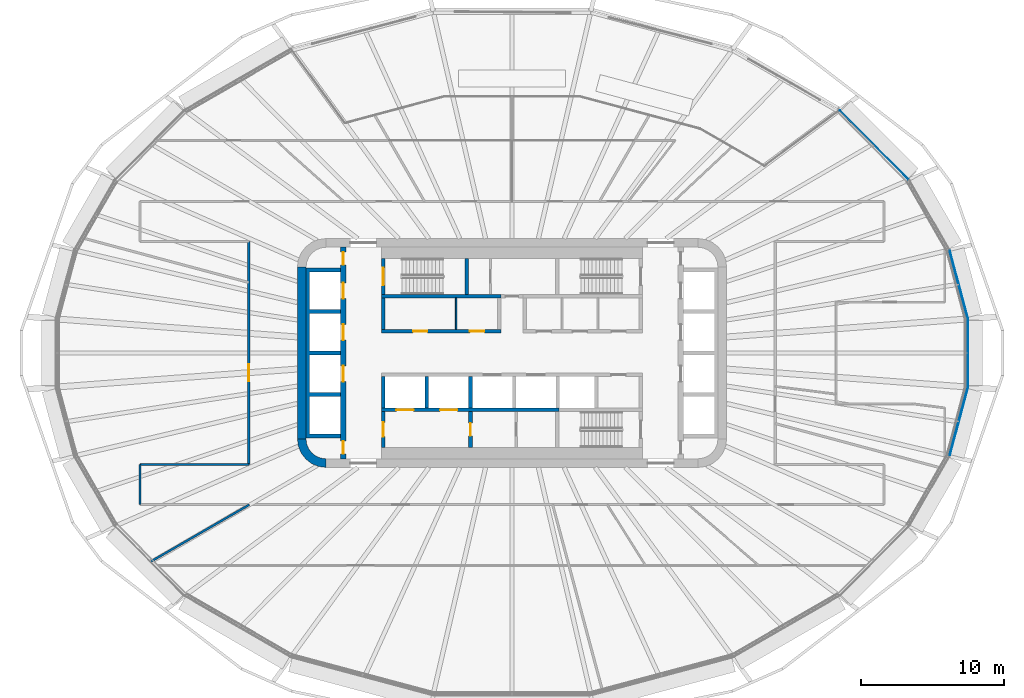
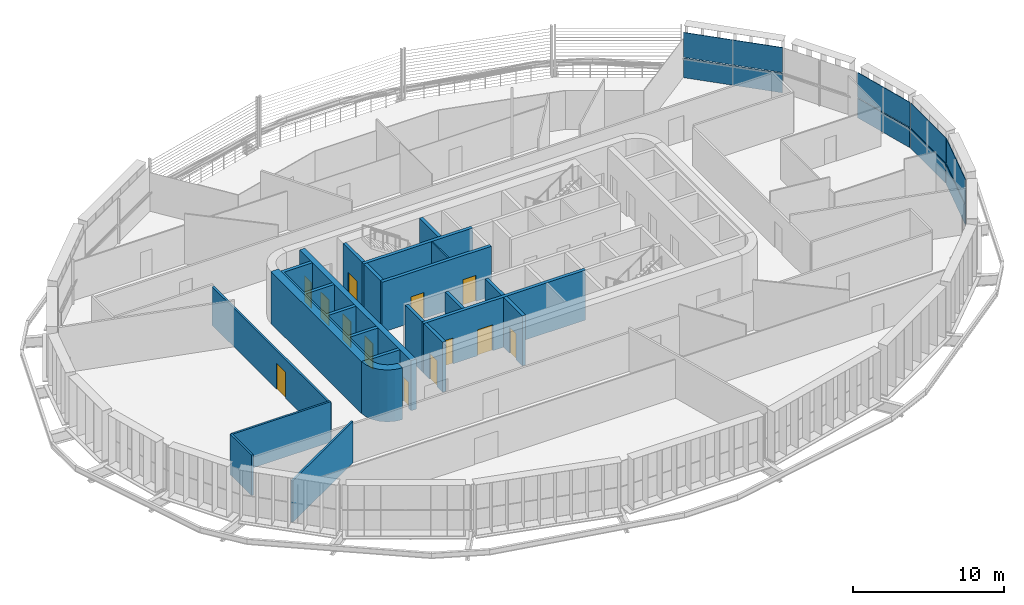
# One storey, part 13 of 24: 20 walls, 13 doors, 8 plates, 13 openings, 4 elements without a shape of their own.
"""IFC4 building model written with IfcOpenShell, lengths in metres."""

import ifcopenshell
import ifcopenshell.guid

model = None  # the IFC model being written
_history = None  # IfcOwnerHistory: only IFC2X3 demands one
_inside = {}  # id of a spatial element -> (the spatial element, [elements in it])
_under = {}  # id of a project, library or spatial element -> (it, [spatial elements below it])
_declared = {}  # id of a project -> (the project, [libraries it declares])
_typed = {}  # id of a type object -> (the type object, [elements of that type])
_made_of = {}  # id of a material, layer set ... -> (it, [elements and type objects made of it])


def new_model(schema):
    """Start an empty IFC model of exactly this schema.

    Asked for "IFC4X3", IfcOpenShell would pick the latest addendum, in which some entities
    have other attributes; the version numbers below select the first issue.
    IFC2X3 requires an IfcOwnerHistory on every rooted entity: one is made here for all.
    """
    global model, _history
    if schema == "IFC4X3":
        model = ifcopenshell.file(schema_version=(4, 3, 0, 0))
    else:
        model = ifcopenshell.file(schema=schema)
    _inside.clear()
    _under.clear()
    _declared.clear()
    _typed.clear()
    _made_of.clear()
    _history = None
    if model.schema == "IFC2X3":
        org = make("IfcOrganization", Name="unknown")
        user = make(
            "IfcPersonAndOrganization",
            ThePerson=make("IfcPerson", FamilyName="unknown"),
            TheOrganization=org,
        )
        app = make(
            "IfcApplication",
            ApplicationDeveloper=org,
            Version="unknown",
            ApplicationFullName="unknown",
            ApplicationIdentifier="unknown",
        )
        _history = make(
            "IfcOwnerHistory",
            OwningUser=user,
            OwningApplication=app,
            ChangeAction="ADDED",
            CreationDate=0,
        )
    return model


def make(cls, **values):
    """One entity of the class cls with the attributes given. An attribute that is None is left unset."""
    return model.create_entity(
        cls, **{name: value for name, value in values.items() if value is not None}
    )


def rooted(cls, **values):
    """An entity with a GlobalId (a new one), such as an element, a storey or a relation."""
    return make(cls, GlobalId=ifcopenshell.guid.new(), OwnerHistory=_history, **values)


def si_unit(unit_type, name, prefix=None):
    """IfcSIUnit, for example si_unit("LENGTHUNIT", "METRE", prefix="MILLI")."""
    return make("IfcSIUnit", UnitType=unit_type, Prefix=prefix, Name=name)


def assignment(units):
    """IfcUnitAssignment: the units of a project."""
    return None if units is None else make("IfcUnitAssignment", Units=units)


def point(xyz):
    """IfcCartesianPoint."""
    return None if xyz is None else make("IfcCartesianPoint", Coordinates=xyz)


def direction(xyz):
    """IfcDirection."""
    return None if xyz is None else make("IfcDirection", DirectionRatios=xyz)


def frame(location, z_axis=None, x_axis=None):
    """IfcAxis2Placement3D, a coordinate frame: its origin and axes. An axis left out is left unset."""
    return make(
        "IfcAxis2Placement3D",
        Location=point(location),
        Axis=direction(z_axis),
        RefDirection=direction(x_axis),
    )


def frame_2d(location, x_axis=None):
    """IfcAxis2Placement2D, a coordinate frame in the plane: its origin and x axis."""
    return make(
        "IfcAxis2Placement2D", Location=point(location), RefDirection=direction(x_axis)
    )


def origin():
    """The frame at (0, 0, 0) with its axes left unset."""
    return frame((0.0, 0.0, 0.0))


def place(relative_to, where):
    """IfcLocalPlacement: puts the frame where relative to a parent placement (None: the world)."""
    return make(
        "IfcLocalPlacement", PlacementRelTo=relative_to, RelativePlacement=where
    )


def context(
    kind, dimensions, precision=None, world=None, true_north=None, identifier=None
):
    """IfcGeometricRepresentationContext, for example the 3D "Model" context."""
    return make(
        "IfcGeometricRepresentationContext",
        ContextIdentifier=identifier,
        ContextType=kind,
        CoordinateSpaceDimension=dimensions,
        Precision=precision,
        WorldCoordinateSystem=world,
        TrueNorth=true_north,
    )


def subcontext(parent, identifier, kind, view, scale=None):
    """IfcGeometricRepresentationSubContext, for example "Body" below "Model"."""
    return make(
        "IfcGeometricRepresentationSubContext",
        ContextIdentifier=identifier,
        ContextType=kind,
        ParentContext=parent,
        TargetScale=scale,
        TargetView=view,
    )


def project(units=None, contexts=None):
    """IfcProject with its units and contexts."""
    return rooted(
        "IfcProject",
        Name="project",
        RepresentationContexts=contexts,
        UnitsInContext=assignment(units),
    )


def spatial(cls, under=None, at=None, **own):
    """A site, building, storey or space (cls), placed at a placement, below another one or the project."""
    s = rooted(cls, ObjectPlacement=at, **own)
    if under is not None:
        _under.setdefault(under.id(), (under, []))[1].append(s)
    return s


def polyline(points):
    """IfcPolyline through the points."""
    return make("IfcPolyline", Points=[point(p) for p in points])


def profile(cls, at=None, kind="AREA", **sizes):
    """A parametric profile (cls). Its sizes go by their IFC names, for example OverallWidth=200.0."""
    return make(cls, ProfileType=kind, Position=at, **sizes)


def rectangle(**sizes):
    """IfcRectangleProfileDef."""
    return profile("IfcRectangleProfileDef", **sizes)


def outline(outer, holes=None, kind="AREA"):
    """IfcArbitraryClosedProfileDef: a profile drawn as a closed curve; with holes, ...WithVoids."""
    if holes is None:
        return make("IfcArbitraryClosedProfileDef", ProfileType=kind, OuterCurve=outer)
    return make(
        "IfcArbitraryProfileDefWithVoids",
        ProfileType=kind,
        OuterCurve=outer,
        InnerCurves=holes,
    )


def extrude(swept, where, along, depth):
    """IfcExtrudedAreaSolid: the profile swept, set in the frame where, extruded along a direction by depth."""
    return make(
        "IfcExtrudedAreaSolid",
        SweptArea=swept,
        Position=where,
        ExtrudedDirection=direction(along),
        Depth=depth,
    )


def shape(context_of_items, identifier, shape_type, items):
    """IfcShapeRepresentation: the items that make up one representation, for example the "Body"."""
    return make(
        "IfcShapeRepresentation",
        ContextOfItems=context_of_items,
        RepresentationIdentifier=identifier,
        RepresentationType=shape_type,
        Items=items,
    )


def material(Name=None, Category=None):
    """IfcMaterial."""
    return make("IfcMaterial", Name=Name, Category=Category)


def layer(
    of_material, thickness, ventilated=None, Name=None, Category=None, Priority=None
):
    """IfcMaterialLayer: one layer of a wall or slab, of a material (None: an air gap)."""
    return make(
        "IfcMaterialLayer",
        Material=of_material,
        LayerThickness=thickness,
        IsVentilated=ventilated,
        Name=Name,
        Category=Category,
        Priority=Priority,
    )


def layer_set(layers, Name=None):
    """IfcMaterialLayerSet."""
    return make("IfcMaterialLayerSet", MaterialLayers=layers, LayerSetName=Name)


def made_of(thing, what):
    """Note that an element or type object is made of a material, layer set ...; save() writes the relation."""
    if what is not None:
        _made_of.setdefault(what.id(), (what, []))[1].append(thing)
    return thing


def type_object(cls, material=None, **own):
    """A type object (cls), such as IfcWallType, which elements share."""
    return made_of(rooted(cls, **own), material)


def element(
    cls,
    number,
    at=None,
    inside=None,
    cuts=None,
    type_object=None,
    material=None,
    context=None,
    identifier="Body",
    shape_type=None,
    held_by="IfcProductDefinitionShape",
    body=None,
    shapes=None,
    **own,
):
    """One element of the class cls, such as IfcWall. Its Tag is "e" and its number.

    at: its placement. inside: the storey or other place that contains it. cuts: it is an
    opening in that element (IfcRelVoidsElement). A single representation is given by context,
    identifier, shape_type and body (its items); several are given by shapes. held_by: the class
    of the entity that holds the representations. save() writes the other relations.
    """
    e = rooted(cls, Tag="e%d" % number, ObjectPlacement=at, **own)
    if body is not None:
        shapes = [shape(context, identifier, shape_type, body)]
    if shapes is not None:
        e.Representation = make(held_by, Representations=shapes)
    if inside is not None:
        _inside.setdefault(inside.id(), (inside, []))[1].append(e)
    if cuts is not None:
        rooted(
            "IfcRelVoidsElement", RelatingBuildingElement=cuts, RelatedOpeningElement=e
        )
    if type_object is not None:
        _typed.setdefault(type_object.id(), (type_object, []))[1].append(e)
    return made_of(e, material)


def fill(opening, filler):
    """IfcRelFillsElement: the door or window that sits in an opening."""
    return rooted(
        "IfcRelFillsElement",
        RelatingOpeningElement=opening,
        RelatedBuildingElement=filler,
    )


def aggregate(whole, parts):
    """IfcRelAggregates: a whole, such as a stair, and the parts it consists of."""
    return rooted("IfcRelAggregates", RelatingObject=whole, RelatedObjects=parts)


def save(model, path):
    """Write the relations noted so far, then the file.

    IfcRelAggregates (storeys below a building ...), IfcRelContainedInSpatialStructure (elements
    in a storey), IfcRelDefinesByType, IfcRelAssociatesMaterial and IfcRelDeclares: one each for
    every whole, place, type object, material and project.
    """
    for whole, parts in _under.values():
        aggregate(whole, parts)
    for where, things in _inside.values():
        rooted(
            "IfcRelContainedInSpatialStructure",
            RelatedElements=things,
            RelatingStructure=where,
        )
    for kind, things in _typed.values():
        rooted("IfcRelDefinesByType", RelatedObjects=things, RelatingType=kind)
    for what, things in _made_of.values():
        rooted("IfcRelAssociatesMaterial", RelatedObjects=things, RelatingMaterial=what)
    for by, libraries in _declared.values():
        rooted("IfcRelDeclares", RelatingContext=by, RelatedDefinitions=libraries)
    model.write(path)


model = new_model("IFC4")

# Units and contexts
model_context = context("Model", 3, precision=1e-05, world=origin(), true_north=direction((0.0, 1.0)))
body_context = subcontext(model_context, "Body", "Model", "MODEL_VIEW")
ifc_project = project(units=[si_unit("LENGTHUNIT", "METRE"), si_unit("AREAUNIT", "SQUARE_METRE"), si_unit("VOLUMEUNIT", "CUBIC_METRE"), si_unit("PLANEANGLEUNIT", "RADIAN"), si_unit("MASSUNIT", "GRAM", prefix="KILO")], contexts=[model_context])

# Site, building, storey
site_placement = place(None, origin())
site = spatial("IfcSite", under=ifc_project, at=site_placement, CompositionType="ELEMENT")
building_placement = place(site_placement, origin())
building = spatial("IfcBuilding", under=site, at=building_placement, Name="Sahrelin Media Tower", CompositionType="ELEMENT")
storey_placement = place(building_placement, frame((0.0, 0.0, 118.800048828125)))
storey = spatial("IfcBuildingStorey", under=building, at=storey_placement, Name="L23", CompositionType="ELEMENT", Elevation=118.800048828125)

# Curtain wall, plate
ifc_material_1 = material(Name="Champagne anodised aluminium 6063-T6", Category="aluminium")
ifc_layer_1 = layer(ifc_material_1, 0.14990234375)
ifc_layer_set_1 = layer_set([ifc_layer_1], Name="Tower ribbon curtain wall")
curtain_wall_type = type_object("IfcCurtainWallType", Name="Tower ribbon curtain wall", PredefinedType="NOTDEFINED", material=ifc_layer_set_1)
curtain_wall_1_placement = place(storey_placement, frame((31.881591796875, 0.0, 0.0), z_axis=(0.0, 0.0, 1.0), x_axis=(1.0, 0.0, 0.0)))
curtain_wall_1 = element("IfcCurtainWall", 1, at=curtain_wall_1_placement, inside=storey, type_object=curtain_wall_type, Name="L23:CW:L23-00", PredefinedType="NOTDEFINED")
ifc_material_2 = material(Name="Clear low-iron glazing", Category="glass")
ifc_layer_2 = layer(ifc_material_2, 0.0400390625)
ifc_layer_set_2 = layer_set([ifc_layer_2], Name="Glazing panel 40 mm CW1")
plate_type_1 = type_object("IfcPlateType", Name="Glazing panel 40 mm CW1", PredefinedType="CURTAIN_PANEL", material=ifc_layer_set_2)
plate_1_placement = place(storey_placement, frame((31.901611328125, -2.332275390625, 1.6298828125), z_axis=(1.0, 0.0, 0.0), x_axis=(0.0, 1.0, 0.0)))
plate_1 = element("IfcPlate", 2, at=plate_1_placement, type_object=plate_type_1, Name="L23:CWP2:L23-00", PredefinedType="CURTAIN_PANEL", context=body_context, shape_type="SweptSolid", body=[
    extrude(outline(polyline([(0.0, 0.0), (4.66455078125, 0.0), (4.66455078125, 2.0185546875), (0.0, 2.0185546875), (0.0, 0.0)])), origin(), (0.0, 0.0, -1.0), 0.0400390625),
])

curtain_wall_2_placement = place(storey_placement, frame((31.23681640625, 4.788818359375, 0.0), z_axis=(0.0, 0.0, 1.0), x_axis=(1.0, 0.0, 0.0)))
curtain_wall_2 = element("IfcCurtainWall", 3, at=curtain_wall_2_placement, inside=storey, type_object=curtain_wall_type, Name="L23:CW:L23-01", PredefinedType="NOTDEFINED")
plate_2_placement = place(storey_placement, frame((31.88818359375, 2.435791015625, 1.6298828125), z_axis=(0.965919706818, 0.258841882199, 0.0), x_axis=(-0.258841882199, 0.965919706818, 0.0)))
plate_2 = element("IfcPlate", 4, at=plate_2_placement, type_object=plate_type_1, Name="L23:CWP2:L23-01", PredefinedType="CURTAIN_PANEL", context=body_context, shape_type="SweptSolid", body=[
    extrude(outline(polyline([(0.0, 0.0), (4.883056640625, 0.0), (4.883056640625, 2.0185546875), (0.0, 2.0185546875), (0.0, 0.0)])), origin(), (0.0, 0.0, -1.0), 0.0400390625),
])

curtain_wall_3_placement = place(storey_placement, frame((25.322021484375, 14.54052734375, 0.0), z_axis=(0.0, 0.0, 1.0), x_axis=(1.0, 0.0, 0.0)))
curtain_wall_3 = element("IfcCurtainWall", 5, at=curtain_wall_3_placement, inside=storey, type_object=curtain_wall_type, Name="L23:CW:L23-03", PredefinedType="NOTDEFINED")
plate_3_placement = place(storey_placement, frame((27.736083984375, 12.155029296875, 1.6298828125), z_axis=(0.707106781187, 0.707106781187, 0.0), x_axis=(-0.707106781187, 0.707106781187, 0.0)))
plate_3 = element("IfcPlate", 6, at=plate_3_placement, type_object=plate_type_1, Name="L23:CWP2:L23-03", PredefinedType="CURTAIN_PANEL", context=body_context, shape_type="SweptSolid", body=[
    extrude(outline(polyline([(0.0, 0.0), (6.78759765625, 0.0), (6.78759765625, 2.0185546875), (0.0, 2.0185546875), (0.0, 0.0)])), origin(), (0.0, 0.0, -1.0), 0.0400390625),
])

curtain_wall_4_placement = place(storey_placement, frame((31.23681640625, -4.788818359375, 0.0), z_axis=(0.0, 0.0, 1.0), x_axis=(1.0, 0.0, 0.0)))
curtain_wall_4 = element("IfcCurtainWall", 7, at=curtain_wall_4_placement, inside=storey, type_object=curtain_wall_type, Name="L23:CW:L23-23", PredefinedType="NOTDEFINED")
plate_4_placement = place(storey_placement, frame((30.624267578125, -7.15234375, 1.6298828125), z_axis=(0.965919706818, -0.258841882199, 0.0), x_axis=(0.258841882199, 0.965919706818, 0.0)))
plate_4 = element("IfcPlate", 8, at=plate_4_placement, type_object=plate_type_1, Name="L23:CWP2:L23-23", PredefinedType="CURTAIN_PANEL", context=body_context, shape_type="SweptSolid", body=[
    extrude(outline(polyline([(0.0, 0.0), (4.883056640625, 0.0), (4.883056640625, 2.0185546875), (0.0, 2.0185546875), (0.0, 0.0)])), origin(), (0.0, 0.0, -1.0), 0.0400390625),
])

# Plate
ifc_material_3 = material(Name="Insulated spandrel panel")
ifc_layer_3 = layer(ifc_material_3, 0.06005859375)
ifc_layer_set_3 = layer_set([ifc_layer_3], Name="Spandrel panel 60 mm CW1")
plate_type_2 = type_object("IfcPlateType", Name="Spandrel panel 60 mm CW1", PredefinedType="SHEET", material=ifc_layer_set_3)
plate_5_placement = place(storey_placement, frame((31.901611328125, -2.332275390625, 0.0), z_axis=(1.0, 0.0, 0.0), x_axis=(0.0, 1.0, 0.0)))
plate_5 = element("IfcPlate", 9, at=plate_5_placement, type_object=plate_type_2, Name="L23:CWP1:L23-00", PredefinedType="SHEET", context=body_context, shape_type="SweptSolid", body=[
    extrude(outline(polyline([(0.0, 0.0), (4.66455078125, 0.0), (4.66455078125, 1.570068359375), (0.0, 1.570068359375), (0.0, 0.0)])), origin(), (0.0, 0.0, -1.0), 0.06005859375),
])

aggregate(curtain_wall_1, [plate_5, plate_1])

plate_6_placement = place(storey_placement, frame((31.88818359375, 2.435791015625, 0.0), z_axis=(0.965919706818, 0.258841882199, 0.0), x_axis=(-0.258841882199, 0.965919706818, 0.0)))
plate_6 = element("IfcPlate", 10, at=plate_6_placement, type_object=plate_type_2, Name="L23:CWP1:L23-01", PredefinedType="SHEET", context=body_context, shape_type="SweptSolid", body=[
    extrude(outline(polyline([(0.0, 0.0), (4.883056640625, 0.0), (4.883056640625, 1.570068359375), (0.0, 1.570068359375), (0.0, 0.0)])), origin(), (0.0, 0.0, -1.0), 0.06005859375),
])

aggregate(curtain_wall_2, [plate_6, plate_2])

plate_7_placement = place(storey_placement, frame((27.736083984375, 12.155029296875, 0.0), z_axis=(0.707106781187, 0.707106781187, 0.0), x_axis=(-0.707106781187, 0.707106781187, 0.0)))
plate_7 = element("IfcPlate", 11, at=plate_7_placement, type_object=plate_type_2, Name="L23:CWP1:L23-03", PredefinedType="SHEET", context=body_context, shape_type="SweptSolid", body=[
    extrude(outline(polyline([(0.0, 0.0), (6.78759765625, 0.0), (6.78759765625, 1.570068359375), (0.0, 1.570068359375), (0.0, 0.0)])), origin(), (0.0, 0.0, -1.0), 0.06005859375),
])

aggregate(curtain_wall_3, [plate_7, plate_3])

plate_8_placement = place(storey_placement, frame((30.624267578125, -7.15234375, 0.0), z_axis=(0.965919706818, -0.258841882199, 0.0), x_axis=(0.258841882199, 0.965919706818, 0.0)))
plate_8 = element("IfcPlate", 12, at=plate_8_placement, type_object=plate_type_2, Name="L23:CWP1:L23-23", PredefinedType="SHEET", context=body_context, shape_type="SweptSolid", body=[
    extrude(outline(polyline([(0.0, 0.0), (4.883056640625, 0.0), (4.883056640625, 1.570068359375), (0.0, 1.570068359375), (0.0, 0.0)])), origin(), (0.0, 0.0, -1.0), 0.06005859375),
])

aggregate(curtain_wall_4, [plate_8, plate_4])

# Walls
ifc_material_4 = material(Name="Concrete C60/75", Category="concrete")
ifc_layer_4 = layer(ifc_material_4, 0.60009765625)
ifc_layer_set_4 = layer_set([ifc_layer_4], Name="Core wall 600")
wall_type_1 = type_object("IfcWallType", Name="Core wall 600", PredefinedType="SHEAR", material=ifc_layer_set_4)
wall_1_placement = place(storey_placement, frame((-14.699951171875, -6.0, 0.0), z_axis=(0.0, 0.0, 1.0), x_axis=(0.0, 1.0, 0.0)))
element("IfcWall", 13, at=wall_1_placement, inside=storey, type_object=wall_type_1, Name="Core wall W L23", PredefinedType="SHEAR", context=body_context, shape_type="SweptSolid", body=[
    extrude(rectangle(XDim=12.0, YDim=0.60009765625, at=frame_2d((6.0, 0.0))), origin(), (0.0, 0.0, 1.0), 4.199951171875),
])
placement = place(storey_placement, origin())
element("IfcWall", 14, at=placement, inside=storey, type_object=wall_type_1, Name="Core wall corner SW L23", PredefinedType="SHEAR", context=body_context, shape_type="SweptSolid", body=[
    extrude(outline(polyline([(-13.0, -8.0), (-13.0, -7.394775390625), (-13.361083984375, -7.347412109375), (-13.697509765625, -7.2080078125), (-13.986328125, -6.986328125), (-14.2080078125, -6.697509765625), (-14.347412109375, -6.361083984375), (-14.394775390625, -6.0), (-15.0, -6.0), (-14.931884765625, -6.517578125), (-14.732177734375, -7.0), (-14.414306640625, -7.414306640625), (-14.0, -7.732177734375), (-13.517578125, -7.931884765625), (-13.0, -8.0)])), origin(), (0.0, 0.0, 1.0), 4.199951171875),
])

# Wall, openings, doors
ifc_material_5 = material(Name="Fire-rated gypsum board partition")
ifc_layer_5 = layer(ifc_material_5, 0.25)
ifc_layer_set_5 = layer_set([ifc_layer_5], Name="Fire-rated lobby wall 250")
wall_type_2 = type_object("IfcWallType", Name="Fire-rated lobby wall 250", PredefinedType="PARTITIONING", material=ifc_layer_set_5)
wall_3_placement = place(storey_placement, frame((-9.125, 1.52490234375, 0.0), z_axis=(0.0, 0.0, 1.0), x_axis=(1.0, 0.0, 0.0)))
wall_3 = element("IfcWall", 15, at=wall_3_placement, inside=storey, type_object=wall_type_2, Name="Core lobby wall", PredefinedType="PARTITIONING", context=body_context, shape_type="SweptSolid", body=[
    extrude(rectangle(XDim=8.35009765625, YDim=0.25, at=frame_2d((4.175048828125, 0.0))), origin(), (0.0, 0.0, 1.0), 4.050048828125),
])
opening_1_placement = place(wall_3_placement, frame((2.21240234375, 0.0, 0.0)))
opening_1 = element("IfcOpeningElement", 16, at=opening_1_placement, cuts=wall_3, Name="Opening L23-D09", PredefinedType="OPENING", context=body_context, shape_type="SweptSolid", body=[
    extrude(rectangle(XDim=1.0, YDim=2.10009765625, at=frame_2d((0.5, 1.050048828125))), frame((0.0, 0.125, 0.0), z_axis=(0.0, -1.0, 0.0), x_axis=(1.0, 0.0, 0.0)), (0.0, 0.0, 1.0), 0.25),
])
opening_2_placement = place(wall_3_placement, frame((6.1875, 0.0, 0.0)))
opening_2 = element("IfcOpeningElement", 17, at=opening_2_placement, cuts=wall_3, Name="Opening L23-D10", PredefinedType="OPENING", context=body_context, shape_type="SweptSolid", body=[
    extrude(rectangle(XDim=1.0, YDim=2.10009765625, at=frame_2d((0.5, 1.050048828125))), frame((0.0, 0.125, 0.0), z_axis=(0.0, -1.0, 0.0), x_axis=(1.0, 0.0, 0.0)), (0.0, 0.0, 1.0), 0.25),
])
ifc_material_6 = material(Name="Steel fire door leaf", Category="steel")
door_type_1 = type_object("IfcDoorType", Name="Fire door 1000 x 2100 EI 60", OperationType="NOTDEFINED", PredefinedType="DOOR", material=ifc_material_6)
door_1_placement = place(opening_1_placement, origin())
door_1 = element("IfcDoor", 18, at=door_1_placement, inside=storey, type_object=door_type_1, Name="Core room door", OperationType="SINGLE_SWING_LEFT", OverallHeight=2.10009765625, OverallWidth=1.0, PredefinedType="DOOR", context=body_context, shape_type="SweptSolid", body=[
    extrude(rectangle(XDim=1.0, YDim=2.10009765625, at=frame_2d((0.5, 1.050048828125))), frame((0.0, 0.02490234375, 0.0), z_axis=(0.0, -1.0, 0.0), x_axis=(1.0, 0.0, 0.0)), (0.0, 0.0, 1.0), 0.050048828125),
])
fill(opening_1, door_1)
door_2_placement = place(opening_2_placement, origin())
door_2 = element("IfcDoor", 19, at=door_2_placement, inside=storey, type_object=door_type_1, Name="Core room door", OperationType="SINGLE_SWING_LEFT", OverallHeight=2.10009765625, OverallWidth=1.0, PredefinedType="DOOR", context=body_context, shape_type="SweptSolid", body=[
    extrude(rectangle(XDim=1.0, YDim=2.10009765625, at=frame_2d((0.5, 1.050048828125))), frame((0.0, 0.02490234375, 0.0), z_axis=(0.0, -1.0, 0.0), x_axis=(1.0, 0.0, 0.0)), (0.0, 0.0, 1.0), 0.050048828125),
])
fill(opening_2, door_2)

# Walls
wall_4_placement = place(storey_placement, frame((-9.0, 1.64990234375, 0.0), z_axis=(0.0, 0.0, 1.0), x_axis=(0.0, 1.0, 0.0)))
element("IfcWall", 20, at=wall_4_placement, inside=storey, type_object=wall_type_2, Name="Core lobby wall", PredefinedType="PARTITIONING", context=body_context, shape_type="SweptSolid", body=[
    extrude(rectangle(XDim=2.2001953125, YDim=0.25, at=frame_2d((1.10009765625, 0.0))), origin(), (0.0, 0.0, 1.0), 4.050048828125),
])
ifc_layer_6 = layer(ifc_material_5, 0.10009765625)
ifc_layer_set_6 = layer_set([ifc_layer_6], Name="Fire-rated partition 100")
wall_type_3 = type_object("IfcWallType", Name="Fire-rated partition 100", PredefinedType="PARTITIONING", material=ifc_layer_set_6)
wall_5_placement = place(storey_placement, frame((-3.89990234375, 1.64990234375, 0.0), z_axis=(0.0, 0.0, 1.0), x_axis=(0.0, 1.0, 0.0)))
element("IfcWall", 21, at=wall_5_placement, inside=storey, type_object=wall_type_3, Name="Core room partition", PredefinedType="PARTITIONING", context=body_context, shape_type="SweptSolid", body=[
    extrude(rectangle(XDim=2.2001953125, YDim=0.10009765625, at=frame_2d((1.10009765625, 0.0))), origin(), (0.0, 0.0, 1.0), 4.050048828125),
])
ifc_layer_7 = layer(ifc_material_5, 0.14990234375)
ifc_layer_set_7 = layer_set([ifc_layer_7], Name="Fire-rated partition 150")
wall_type_4 = type_object("IfcWallType", Name="Fire-rated partition 150", PredefinedType="PARTITIONING", material=ifc_layer_set_7)
wall_6_placement = place(storey_placement, frame((-26.0, -7.800048828125, 0.0), z_axis=(0.0, 0.0, 1.0), x_axis=(1.0, 0.0, 0.0)))
element("IfcWall", 22, at=wall_6_placement, inside=storey, type_object=wall_type_4, Name="Wall", PredefinedType="PARTITIONING", context=body_context, shape_type="SweptSolid", body=[
    extrude(rectangle(XDim=7.60009765625, YDim=0.14990234375, at=frame_2d((3.800048828125, 0.0))), origin(), (0.0, 0.0, 1.0), 3.27587890625),
])
wall_7_placement = place(storey_placement, frame((-25.27197265625, -14.591064453125, 0.0), z_axis=(0.0, 0.0, 1.0), x_axis=(0.866041960816, 0.499971321283, 0.0)))
element("IfcWall", 23, at=wall_7_placement, inside=storey, type_object=wall_type_4, Name="Wall", PredefinedType="PARTITIONING", context=body_context, shape_type="SweptSolid", body=[
    extrude(rectangle(XDim=7.982421875, YDim=0.14990234375, at=frame_2d((3.9912109375, 0.0))), origin(), (0.0, 0.0, 1.0), 3.35205078125),
])

# Wall, opening, door
wall_8_placement = place(storey_placement, frame((-18.39990234375, -7.800048828125, 0.0), z_axis=(0.0, 0.0, 1.0), x_axis=(0.0, 1.0, 0.0)))
wall_8 = element("IfcWall", 24, at=wall_8_placement, inside=storey, type_object=wall_type_4, Name="Wall", PredefinedType="PARTITIONING", context=body_context, shape_type="SweptSolid", body=[
    extrude(rectangle(XDim=15.60009765625, YDim=0.14990234375, at=frame_2d((7.800048828125, 0.0))), origin(), (0.0, 0.0, 1.0), 3.1181640625),
])
opening_3_placement = place(wall_8_placement, frame((5.815185546875, 0.0, 0.0)))
opening_3 = element("IfcOpeningElement", 25, at=opening_3_placement, cuts=wall_8, Name="Opening L23-D41", PredefinedType="OPENING", context=body_context, shape_type="SweptSolid", body=[
    extrude(rectangle(XDim=1.199951171875, YDim=2.10009765625, at=frame_2d((0.60009765625, 1.050048828125))), frame((0.0, 0.074951171875, 0.0), z_axis=(0.0, -1.0, 0.0), x_axis=(1.0, 0.0, 0.0)), (0.0, 0.0, 1.0), 0.14990234375),
])
door_type_2 = type_object("IfcDoorType", Name="Service double door 1200 x 2100 EI 60", OperationType="DOUBLE_DOOR_SINGLE_SWING", PredefinedType="DOOR", material=ifc_material_6)
door_3_placement = place(opening_3_placement, origin())
door_3 = element("IfcDoor", 26, at=door_3_placement, inside=storey, type_object=door_type_2, Name="Service double door", OperationType="DOUBLE_DOOR_SINGLE_SWING", OverallHeight=2.10009765625, OverallWidth=1.199951171875, PredefinedType="DOOR", context=body_context, shape_type="SweptSolid", body=[
    extrude(rectangle(XDim=1.199951171875, YDim=2.10009765625, at=frame_2d((0.60009765625, 1.050048828125))), frame((0.0, 0.02490234375, 0.0), z_axis=(0.0, -1.0, 0.0), x_axis=(1.0, 0.0, 0.0)), (0.0, 0.0, 1.0), 0.050048828125),
])
fill(opening_3, door_3)

# Wall
wall_9_placement = place(storey_placement, frame((-26.0, -10.60009765625, 0.0), z_axis=(0.0, 0.0, 1.0), x_axis=(0.0, 1.0, 0.0)))
element("IfcWall", 27, at=wall_9_placement, inside=storey, type_object=wall_type_4, Name="Wall", PredefinedType="PARTITIONING", context=body_context, shape_type="SweptSolid", body=[
    extrude(rectangle(XDim=2.800048828125, YDim=0.14990234375, at=frame_2d((1.39990234375, 0.0))), origin(), (0.0, 0.0, 1.0), 3.27587890625),
])

# Wall, opening, door
ifc_layer_8 = layer(ifc_material_5, 0.25)
ifc_layer_set_8 = layer_set([ifc_layer_8], Name="Firefighting lobby wall 250")
wall_type_5 = type_object("IfcWallType", Name="Firefighting lobby wall 250", PredefinedType="PARTITIONING", material=ifc_layer_set_8)
wall_10_placement = place(storey_placement, frame((-9.0, -6.60009765625, 0.0), z_axis=(0.0, 0.0, 1.0), x_axis=(0.0, 1.0, 0.0)))
wall_10 = element("IfcWall", 28, at=wall_10_placement, inside=storey, type_object=wall_type_5, Name="Core wall", PredefinedType="PARTITIONING", context=body_context, shape_type="SweptSolid", body=[
    extrude(rectangle(XDim=2.5, YDim=0.25, at=frame_2d((1.25, 0.0))), origin(), (0.0, 0.0, 1.0), 4.050048828125),
])
opening_4_placement = place(wall_10_placement, frame((0.75, 0.0, 0.0)))
opening_4 = element("IfcOpeningElement", 29, at=opening_4_placement, cuts=wall_10, Name="Opening L23-D04", PredefinedType="OPENING", context=body_context, shape_type="SweptSolid", body=[
    extrude(rectangle(XDim=1.0, YDim=2.10009765625, at=frame_2d((0.5, 1.050048828125))), frame((0.0, 0.125, 0.0), z_axis=(0.0, -1.0, 0.0), x_axis=(1.0, 0.0, 0.0)), (0.0, 0.0, 1.0), 0.25),
])
door_type_3 = type_object("IfcDoorType", Name="Firefighting lobby door 1000 x 2100 EI 120", OperationType="NOTDEFINED", PredefinedType="DOOR", material=ifc_material_6)
door_4_placement = place(opening_4_placement, origin())
door_4 = element("IfcDoor", 30, at=door_4_placement, inside=storey, type_object=door_type_3, Name="Firefighting lobby door", OperationType="SINGLE_SWING_LEFT", OverallHeight=2.10009765625, OverallWidth=1.0, PredefinedType="DOOR", context=body_context, shape_type="SweptSolid", body=[
    extrude(rectangle(XDim=1.0, YDim=2.10009765625, at=frame_2d((0.5, 1.050048828125))), frame((0.0, 0.02490234375, 0.0), z_axis=(0.0, -1.0, 0.0), x_axis=(1.0, 0.0, 0.0)), (0.0, 0.0, 1.0), 0.050048828125),
])
fill(opening_4, door_4)

wall_11_placement = place(storey_placement, frame((-2.89990234375, -6.60009765625, 0.0), z_axis=(0.0, 0.0, 1.0), x_axis=(0.0, 1.0, 0.0)))
wall_11 = element("IfcWall", 31, at=wall_11_placement, inside=storey, type_object=wall_type_5, Name="Core wall", PredefinedType="PARTITIONING", context=body_context, shape_type="SweptSolid", body=[
    extrude(rectangle(XDim=2.5, YDim=0.25, at=frame_2d((1.25, 0.0))), origin(), (0.0, 0.0, 1.0), 4.050048828125),
])
opening_5_placement = place(wall_11_placement, frame((0.800048828125, 0.0, 0.0)))
opening_5 = element("IfcOpeningElement", 32, at=opening_5_placement, cuts=wall_11, Name="Opening L23-D05", PredefinedType="OPENING", context=body_context, shape_type="SweptSolid", body=[
    extrude(rectangle(XDim=0.89990234375, YDim=2.10009765625, at=frame_2d((0.449951171875, 1.050048828125))), frame((0.0, 0.125, 0.0), z_axis=(0.0, -1.0, 0.0), x_axis=(1.0, 0.0, 0.0)), (0.0, 0.0, 1.0), 0.25),
])
door_type_4 = type_object("IfcDoorType", Name="Firefighting lobby door 900 x 2100 EI 120", OperationType="NOTDEFINED", PredefinedType="DOOR", material=ifc_material_6)
door_5_placement = place(opening_5_placement, origin())
door_5 = element("IfcDoor", 33, at=door_5_placement, inside=storey, type_object=door_type_4, Name="Riser door", OperationType="SINGLE_SWING_RIGHT", OverallHeight=2.10009765625, OverallWidth=0.89990234375, PredefinedType="DOOR", context=body_context, shape_type="SweptSolid", body=[
    extrude(rectangle(XDim=0.89990234375, YDim=2.10009765625, at=frame_2d((0.449951171875, 1.050048828125))), frame((0.0, 0.02490234375, 0.0), z_axis=(0.0, -1.0, 0.0), x_axis=(1.0, 0.0, 0.0)), (0.0, 0.0, 1.0), 0.050048828125),
])
fill(opening_5, door_5)

# Wall, openings, doors
ifc_layer_9 = layer(ifc_material_4, 0.25)
ifc_layer_set_9 = layer_set([ifc_layer_9], Name="Lift shaft wall 250")
wall_type_6 = type_object("IfcWallType", Name="Lift shaft wall 250", PredefinedType="SOLIDWALL", material=ifc_layer_set_9)
wall_12_placement = place(storey_placement, frame((-9.125, -3.97509765625, 0.0), z_axis=(0.0, 0.0, 1.0), x_axis=(1.0, 0.0, 0.0)))
wall_12 = element("IfcWall", 34, at=wall_12_placement, inside=storey, type_object=wall_type_6, Name="Lift shaft wall", PredefinedType="SOLIDWALL", context=body_context, shape_type="SweptSolid", body=[
    extrude(rectangle(XDim=12.39990234375, YDim=0.25, at=frame_2d((6.199951171875, 0.0))), origin(), (0.0, 0.0, 1.0), 4.050048828125),
])
opening_6_placement = place(wall_12_placement, frame((1.050048828125, 0.0, 0.0)))
opening_6 = element("IfcOpeningElement", 35, at=opening_6_placement, cuts=wall_12, Name="Opening L23-LD-FF1", PredefinedType="OPENING", context=body_context, shape_type="SweptSolid", body=[
    extrude(rectangle(XDim=1.199951171875, YDim=2.10009765625, at=frame_2d((0.60009765625, 1.050048828125))), frame((0.0, 0.125, 0.0), z_axis=(0.0, -1.0, 0.0), x_axis=(1.0, 0.0, 0.0)), (0.0, 0.0, 1.0), 0.25),
])
opening_7_placement = place(wall_12_placement, frame((4.10009765625, 0.0, 0.0)))
opening_7 = element("IfcOpeningElement", 36, at=opening_7_placement, cuts=wall_12, Name="Opening L23-LD-FF2", PredefinedType="OPENING", context=body_context, shape_type="SweptSolid", body=[
    extrude(rectangle(XDim=1.199951171875, YDim=2.10009765625, at=frame_2d((0.60009765625, 1.050048828125))), frame((0.0, 0.125, 0.0), z_axis=(0.0, -1.0, 0.0), x_axis=(1.0, 0.0, 0.0)), (0.0, 0.0, 1.0), 0.25),
])
ifc_material_7 = material(Name="Stainless steel", Category="steel")
door_type_5 = type_object("IfcDoorType", Name="Lift landing door 1200 x 2100 EI 120", OperationType="DOUBLE_DOOR_SLIDING", PredefinedType="DOOR", material=ifc_material_7)
door_6_placement = place(opening_6_placement, origin())
door_6 = element("IfcDoor", 37, at=door_6_placement, inside=storey, type_object=door_type_5, Name="Lift landing door FF1", OperationType="DOUBLE_DOOR_SLIDING", OverallHeight=2.10009765625, OverallWidth=1.199951171875, PredefinedType="DOOR", context=body_context, shape_type="SweptSolid", body=[
    extrude(rectangle(XDim=1.199951171875, YDim=2.10009765625, at=frame_2d((0.60009765625, 1.050048828125))), frame((0.0, 0.02490234375, 0.0), z_axis=(0.0, -1.0, 0.0), x_axis=(1.0, 0.0, 0.0)), (0.0, 0.0, 1.0), 0.050048828125),
])
fill(opening_6, door_6)
door_7_placement = place(opening_7_placement, origin())
door_7 = element("IfcDoor", 38, at=door_7_placement, inside=storey, type_object=door_type_5, Name="Lift landing door FF2", OperationType="DOUBLE_DOOR_SLIDING", OverallHeight=2.10009765625, OverallWidth=1.199951171875, PredefinedType="DOOR", context=body_context, shape_type="SweptSolid", body=[
    extrude(rectangle(XDim=1.199951171875, YDim=2.10009765625, at=frame_2d((0.60009765625, 1.050048828125))), frame((0.0, 0.02490234375, 0.0), z_axis=(0.0, -1.0, 0.0), x_axis=(1.0, 0.0, 0.0)), (0.0, 0.0, 1.0), 0.050048828125),
])
fill(opening_7, door_7)

# Walls
for number, where, z_axis, x_axis, name in (
    (39, (-9.0, -3.85009765625, 0.0), (0.0, 0.0, 1.0), (0.0, 1.0, 0.0), "Lift shaft wall"),
    (40, (-5.949951171875, -3.85009765625, 0.0), (0.0, 0.0, 1.0), (0.0, 1.0, 0.0), "Lift shaft wall"),
    (41, (-2.89990234375, -3.85009765625, 0.0), (0.0, 0.0, 1.0), (0.0, 1.0, 0.0), "Lift shaft wall"),
):
    element("IfcWall", number, at=place(storey_placement, frame(where, z_axis=z_axis, x_axis=x_axis)), inside=storey, type_object=wall_type_6, Name=name, PredefinedType="SOLIDWALL", context=body_context, shape_type="SweptSolid", body=[
        extrude(rectangle(XDim=2.2001953125, YDim=0.25, at=frame_2d((1.10009765625, 0.0))), origin(), (0.0, 0.0, 1.0), 4.050048828125),
    ])
element("IfcWall", 42, at=placement, inside=storey, type_object=wall_type_6, Name="Lift shaft wall", PredefinedType="SOLIDWALL", context=body_context, shape_type="SweptSolid", body=[
    extrude(outline(polyline([(-12.0, -5.925048828125), (-12.0, -5.675048828125), (-14.14990234375, -5.675048828125), (-14.14990234375, -3.02490234375), (-12.0, -3.02490234375), (-12.0, -2.77490234375), (-14.14990234375, -2.77490234375), (-14.14990234375, -0.125), (-12.0, -0.125), (-12.0, 0.125), (-14.14990234375, 0.125), (-14.14990234375, 2.77490234375), (-12.0, 2.77490234375), (-12.0, 3.02490234375), (-14.14990234375, 3.02490234375), (-14.14990234375, 5.675048828125), (-12.0, 5.675048828125), (-12.0, 5.925048828125), (-14.14990234375, 5.925048828125), (-14.39990234375, 5.925048828125), (-14.39990234375, 5.675048828125), (-14.39990234375, 3.02490234375), (-14.39990234375, 2.77490234375), (-14.39990234375, 0.125), (-14.39990234375, -0.125), (-14.39990234375, -2.77490234375), (-14.39990234375, -3.02490234375), (-14.39990234375, -5.675048828125), (-14.39990234375, -5.925048828125), (-14.14990234375, -5.925048828125), (-12.0, -5.925048828125)])), origin(), (0.0, 0.0, 1.0), 4.050048828125),
])

# Wall, openings, doors
ifc_layer_10 = layer(ifc_material_4, 0.39990234375)
ifc_layer_set_10 = layer_set([ifc_layer_10], Name="Lift shaft wall 400")
wall_type_7 = type_object("IfcWallType", Name="Lift shaft wall 400", PredefinedType="SOLIDWALL", material=ifc_layer_set_10)
wall_14_placement = place(storey_placement, frame((-11.800048828125, -7.39990234375, 0.0), z_axis=(0.0, 0.0, 1.0), x_axis=(0.0, 1.0, 0.0)))
wall_14 = element("IfcWall", 43, at=wall_14_placement, inside=storey, type_object=wall_type_7, Name="Lift shaft wall", PredefinedType="SOLIDWALL", context=body_context, shape_type="SweptSolid", body=[
    extrude(rectangle(XDim=14.7998046875, YDim=0.39990234375, at=frame_2d((7.39990234375, 0.0))), origin(), (0.0, 0.0, 1.0), 4.050048828125),
])
opening_8_placement = place(wall_14_placement, frame((11.199951171875, 0.0, 0.0)))
opening_8 = element("IfcOpeningElement", 44, at=opening_8_placement, cuts=wall_14, Name="Opening L23-LD-LR1", PredefinedType="OPENING", context=body_context, shape_type="SweptSolid", body=[
    extrude(rectangle(XDim=1.10009765625, YDim=2.10009765625, at=frame_2d((0.550048828125, 1.050048828125))), frame((0.0, 0.199951171875, 0.0), z_axis=(0.0, -1.0, 0.0), x_axis=(1.0, 0.0, 0.0)), (0.0, 0.0, 1.0), 0.39990234375),
])
opening_9_placement = place(wall_14_placement, frame((8.300048828125, 0.0, 0.0)))
opening_9 = element("IfcOpeningElement", 45, at=opening_9_placement, cuts=wall_14, Name="Opening L23-LD-LR2", PredefinedType="OPENING", context=body_context, shape_type="SweptSolid", body=[
    extrude(rectangle(XDim=1.10009765625, YDim=2.10009765625, at=frame_2d((0.550048828125, 1.050048828125))), frame((0.0, 0.199951171875, 0.0), z_axis=(0.0, -1.0, 0.0), x_axis=(1.0, 0.0, 0.0)), (0.0, 0.0, 1.0), 0.39990234375),
])
opening_10_placement = place(wall_14_placement, frame((5.39990234375, 0.0, 0.0)))
opening_10 = element("IfcOpeningElement", 46, at=opening_10_placement, cuts=wall_14, Name="Opening L23-LD-LR3", PredefinedType="OPENING", context=body_context, shape_type="SweptSolid", body=[
    extrude(rectangle(XDim=1.10009765625, YDim=2.10009765625, at=frame_2d((0.550048828125, 1.050048828125))), frame((0.0, 0.199951171875, 0.0), z_axis=(0.0, -1.0, 0.0), x_axis=(1.0, 0.0, 0.0)), (0.0, 0.0, 1.0), 0.39990234375),
])
opening_11_placement = place(wall_14_placement, frame((13.552490234375, 0.0, 0.0)))
opening_11 = element("IfcOpeningElement", 47, at=opening_11_placement, cuts=wall_14, Name="Opening L23-D15", PredefinedType="OPENING", context=body_context, shape_type="SweptSolid", body=[
    extrude(rectangle(XDim=0.89990234375, YDim=2.10009765625, at=frame_2d((0.449951171875, 1.050048828125))), frame((0.0, 0.199951171875, 0.0), z_axis=(0.0, -1.0, 0.0), x_axis=(1.0, 0.0, 0.0)), (0.0, 0.0, 1.0), 0.39990234375),
])
opening_12_placement = place(wall_14_placement, frame((0.347412109375, 0.0, 0.0)))
opening_12 = element("IfcOpeningElement", 48, at=opening_12_placement, cuts=wall_14, Name="Opening L23-D16", PredefinedType="OPENING", context=body_context, shape_type="SweptSolid", body=[
    extrude(rectangle(XDim=0.89990234375, YDim=2.10009765625, at=frame_2d((0.449951171875, 1.050048828125))), frame((0.0, 0.199951171875, 0.0), z_axis=(0.0, -1.0, 0.0), x_axis=(1.0, 0.0, 0.0)), (0.0, 0.0, 1.0), 0.39990234375),
])
door_type_6 = type_object("IfcDoorType", Name="Lift landing door 1100 x 2100 EI 120", OperationType="DOUBLE_DOOR_SLIDING", PredefinedType="DOOR", material=ifc_material_7)
door_8_placement = place(opening_8_placement, origin())
door_8 = element("IfcDoor", 49, at=door_8_placement, inside=storey, type_object=door_type_6, Name="Lift landing door LR1", OperationType="DOUBLE_DOOR_SLIDING", OverallHeight=2.10009765625, OverallWidth=1.10009765625, PredefinedType="DOOR", context=body_context, shape_type="SweptSolid", body=[
    extrude(rectangle(XDim=1.10009765625, YDim=2.10009765625, at=frame_2d((0.550048828125, 1.050048828125))), frame((0.0, 0.02490234375, 0.0), z_axis=(0.0, -1.0, 0.0), x_axis=(1.0, 0.0, 0.0)), (0.0, 0.0, 1.0), 0.050048828125),
])
fill(opening_8, door_8)
door_9_placement = place(opening_9_placement, origin())
door_9 = element("IfcDoor", 50, at=door_9_placement, inside=storey, type_object=door_type_6, Name="Lift landing door LR2", OperationType="DOUBLE_DOOR_SLIDING", OverallHeight=2.10009765625, OverallWidth=1.10009765625, PredefinedType="DOOR", context=body_context, shape_type="SweptSolid", body=[
    extrude(rectangle(XDim=1.10009765625, YDim=2.10009765625, at=frame_2d((0.550048828125, 1.050048828125))), frame((0.0, 0.02490234375, 0.0), z_axis=(0.0, -1.0, 0.0), x_axis=(1.0, 0.0, 0.0)), (0.0, 0.0, 1.0), 0.050048828125),
])
fill(opening_9, door_9)
door_10_placement = place(opening_10_placement, origin())
door_10 = element("IfcDoor", 51, at=door_10_placement, inside=storey, type_object=door_type_6, Name="Lift landing door LR3", OperationType="DOUBLE_DOOR_SLIDING", OverallHeight=2.10009765625, OverallWidth=1.10009765625, PredefinedType="DOOR", context=body_context, shape_type="SweptSolid", body=[
    extrude(rectangle(XDim=1.10009765625, YDim=2.10009765625, at=frame_2d((0.550048828125, 1.050048828125))), frame((0.0, 0.02490234375, 0.0), z_axis=(0.0, -1.0, 0.0), x_axis=(1.0, 0.0, 0.0)), (0.0, 0.0, 1.0), 0.050048828125),
])
fill(opening_10, door_10)
door_type_7 = type_object("IfcDoorType", Name="Riser door 900 x 2100 EI 120", OperationType="NOTDEFINED", PredefinedType="DOOR", material=ifc_material_6)
door_11_placement = place(opening_11_placement, origin())
door_11 = element("IfcDoor", 52, at=door_11_placement, inside=storey, type_object=door_type_7, Name="Riser door", OperationType="SINGLE_SWING_LEFT", OverallHeight=2.10009765625, OverallWidth=0.89990234375, PredefinedType="DOOR", context=body_context, shape_type="SweptSolid", body=[
    extrude(rectangle(XDim=0.89990234375, YDim=2.10009765625, at=frame_2d((0.449951171875, 1.050048828125))), frame((0.0, 0.02490234375, 0.0), z_axis=(0.0, -1.0, 0.0), x_axis=(1.0, 0.0, 0.0)), (0.0, 0.0, 1.0), 0.050048828125),
])
fill(opening_11, door_11)
door_12_placement = place(opening_12_placement, origin())
door_12 = element("IfcDoor", 53, at=door_12_placement, inside=storey, type_object=door_type_7, Name="Riser door", OperationType="SINGLE_SWING_LEFT", OverallHeight=2.10009765625, OverallWidth=0.89990234375, PredefinedType="DOOR", context=body_context, shape_type="SweptSolid", body=[
    extrude(rectangle(XDim=0.89990234375, YDim=2.10009765625, at=frame_2d((0.449951171875, 1.050048828125))), frame((0.0, 0.02490234375, 0.0), z_axis=(0.0, -1.0, 0.0), x_axis=(1.0, 0.0, 0.0)), (0.0, 0.0, 1.0), 0.050048828125),
])
fill(opening_12, door_12)

# Wall, opening, door
ifc_layer_11 = layer(ifc_material_4, 0.25)
ifc_layer_set_11 = layer_set([ifc_layer_11], Name="Stair enclosure wall 250")
wall_type_8 = type_object("IfcWallType", Name="Stair enclosure wall 250", PredefinedType="SOLIDWALL", material=ifc_layer_set_11)
wall_15_placement = place(storey_placement, frame((-9.0, 4.10009765625, 0.0), z_axis=(0.0, 0.0, 1.0), x_axis=(0.0, 1.0, 0.0)))
wall_15 = element("IfcWall", 54, at=wall_15_placement, inside=storey, type_object=wall_type_8, Name="Stair enclosure wall", PredefinedType="SOLIDWALL", context=body_context, shape_type="SweptSolid", body=[
    extrude(rectangle(XDim=2.5, YDim=0.25, at=frame_2d((1.25, 0.0))), origin(), (0.0, 0.0, 1.0), 4.050048828125),
])
opening_13_placement = place(wall_15_placement, frame((0.64990234375, 0.0, 0.0)))
opening_13 = element("IfcOpeningElement", 55, at=opening_13_placement, cuts=wall_15, Name="Opening L23-D01", PredefinedType="OPENING", context=body_context, shape_type="SweptSolid", body=[
    extrude(rectangle(XDim=1.199951171875, YDim=2.10009765625, at=frame_2d((0.60009765625, 1.050048828125))), frame((0.0, 0.125, 0.0), z_axis=(0.0, -1.0, 0.0), x_axis=(1.0, 0.0, 0.0)), (0.0, 0.0, 1.0), 0.25),
])
door_type_8 = type_object("IfcDoorType", Name="Stair door 1200 x 2100 EI 120", OperationType="NOTDEFINED", PredefinedType="DOOR", material=ifc_material_6)
door_13_placement = place(opening_13_placement, origin())
door_13 = element("IfcDoor", 56, at=door_13_placement, inside=storey, type_object=door_type_8, Name="Stair door ST1", OperationType="SINGLE_SWING_RIGHT", OverallHeight=2.10009765625, OverallWidth=1.199951171875, PredefinedType="DOOR", context=body_context, shape_type="SweptSolid", body=[
    extrude(rectangle(XDim=1.199951171875, YDim=2.10009765625, at=frame_2d((0.60009765625, 1.050048828125))), frame((0.0, 0.02490234375, 0.0), z_axis=(0.0, -1.0, 0.0), x_axis=(1.0, 0.0, 0.0)), (0.0, 0.0, 1.0), 0.050048828125),
])
fill(opening_13, door_13)

# Walls
wall_16_placement = place(storey_placement, frame((-3.14990234375, 4.10009765625, 0.0), z_axis=(0.0, 0.0, 1.0), x_axis=(0.0, 1.0, 0.0)))
element("IfcWall", 57, at=wall_16_placement, inside=storey, type_object=wall_type_8, Name="Stair enclosure wall", PredefinedType="SOLIDWALL", context=body_context, shape_type="SweptSolid", body=[
    extrude(rectangle(XDim=2.5, YDim=0.25, at=frame_2d((1.25, 0.0))), origin(), (0.0, 0.0, 1.0), 4.050048828125),
])
wall_17_placement = place(storey_placement, frame((-9.125, 3.97509765625, 0.0), z_axis=(0.0, 0.0, 1.0), x_axis=(1.0, 0.0, 0.0)))
element("IfcWall", 58, at=wall_17_placement, inside=storey, type_object=wall_type_8, Name="Stair enclosure wall", PredefinedType="SOLIDWALL", context=body_context, shape_type="SweptSolid", body=[
    extrude(rectangle(XDim=8.35009765625, YDim=0.25, at=frame_2d((4.175048828125, 0.0))), origin(), (0.0, 0.0, 1.0), 4.050048828125),
])

save(model, "model.ifc")
